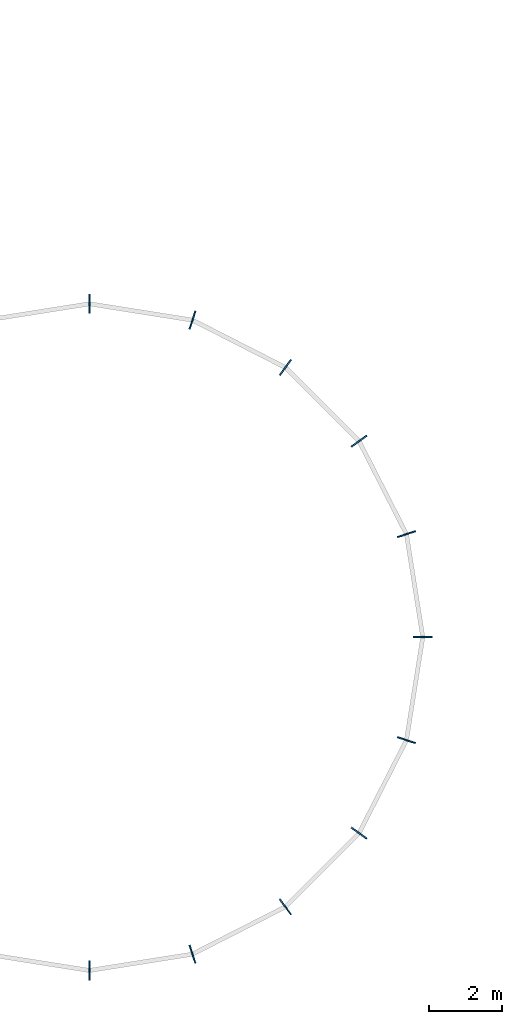
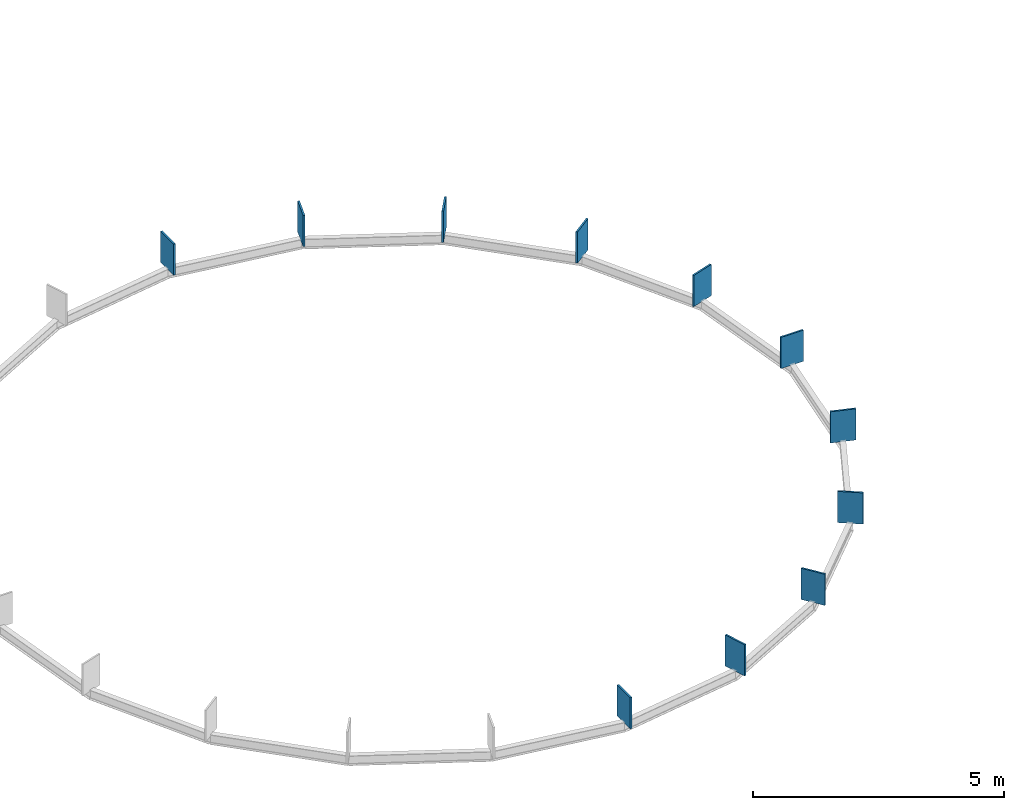
# One storey, part 15 of 30: 11 plates.
"""IFC4 building model written with IfcOpenShell, lengths in metres."""

from ifc_helpers import new_model, si_unit, direction, frame, origin, origin_2d, place, context, subcontext, project, spatial, rectangle, extrude, material, layer, layer_set, type_object, element, save


model = new_model("IFC4")

# Units and contexts
model_context = context("Model", 3, precision=1e-05, world=origin(), true_north=direction((0.0, 1.0)))
body_context = subcontext(model_context, "Body", "Model", "MODEL_VIEW")
ifc_project = project(units=[si_unit("LENGTHUNIT", "METRE"), si_unit("AREAUNIT", "SQUARE_METRE"), si_unit("VOLUMEUNIT", "CUBIC_METRE"), si_unit("PLANEANGLEUNIT", "RADIAN"), si_unit("MASSUNIT", "GRAM", prefix="KILO")], contexts=[model_context])

# Site, building, storey
site_placement = place(None, origin())
site = spatial("IfcSite", under=ifc_project, at=site_placement, CompositionType="ELEMENT")
building_placement = place(site_placement, origin())
building = spatial("IfcBuilding", under=site, at=building_placement, Name="Sefraquen Railside Congress Hotel", CompositionType="ELEMENT")
storey_placement = place(building_placement, frame((0.0, 0.0, 35.39990234375)))
storey = spatial("IfcBuildingStorey", under=building, at=storey_placement, Name="L08", CompositionType="ELEMENT", Elevation=35.39990234375)

# Plates
ifc_material = material(Name="Steel S355J2", Category="steel")
ifc_layer = layer(ifc_material, 0.0400390625)
ifc_layer_set = layer_set([ifc_layer], Name="Steel S355J2")
plate_type = type_object("IfcPlateType", Name="TP-GUS-02", PredefinedType="SHEET", material=ifc_layer_set)
for number, where, z_axis, x_axis, name in (
    (1, (73.300048828125, 27.0, -4.39990234375), (0.0, 0.0, 1.0), (1.0, 0.0, 0.0), "Dome upper ring shell stool plate 01"),
    (2, (72.8544921875, 29.81201171875, -4.39990234375), (0.0, 0.0, 1.0), (0.951056516295, 0.309016994375, 0.0), "Dome upper ring shell stool plate 02"),
    (3, (71.56201171875, 32.348876953125, -4.39990234375), (0.0, 0.0, 1.0), (0.809016994375, 0.587785252292, 0.0), "Dome upper ring shell stool plate 03"),
    (4, (69.548828125, 34.362060546875, -4.39990234375), (0.0, 0.0, 1.0), (0.587785252292, 0.809016994375, 0.0), "Dome upper ring shell stool plate 04"),
    (5, (67.01220703125, 35.654541015625, -4.39990234375), (0.0, 0.0, 1.0), (0.309016994375, 0.951056516295, 0.0), "Dome upper ring shell stool plate 05"),
    (6, (64.199951171875, 36.10009765625, -4.39990234375), (0.0, 0.0, 1.0), (0.0, 1.0, 0.0), "Dome upper ring shell stool plate 06"),
    (7, (64.199951171875, 17.89990234375, -4.39990234375), (0.0, 0.0, 1.0), (0.0, -1.0, 0.0), "Dome upper ring shell stool plate 16"),
    (8, (67.01220703125, 18.345458984375, -4.39990234375), (0.0, 0.0, 1.0), (0.309016994375, -0.951056516295, 0.0), "Dome upper ring shell stool plate 17"),
    (9, (69.548828125, 19.637939453125, -4.39990234375), (0.0, 0.0, 1.0), (0.587785252292, -0.809016994375, 0.0), "Dome upper ring shell stool plate 18"),
    (10, (71.56201171875, 21.651123046875, -4.39990234375), (0.0, 0.0, 1.0), (0.809016994375, -0.587785252292, 0.0), "Dome upper ring shell stool plate 19"),
    (11, (72.8544921875, 24.18798828125, -4.39990234375), (0.0, 0.0, 1.0), (0.951056516295, -0.309016994375, 0.0), "Dome upper ring shell stool plate 20"),
):
    element("IfcPlate", number, at=place(storey_placement, frame(where, z_axis=z_axis, x_axis=x_axis)), inside=storey, type_object=plate_type, Name=name, PredefinedType="SHEET", context=body_context, shape_type="SweptSolid", body=[
        extrude(rectangle(XDim=0.52001953125, YDim=0.0400390625, at=origin_2d()), origin(), (0.0, 0.0, 1.0), 0.760009765625),
    ])

save(model, "model.ifc")
